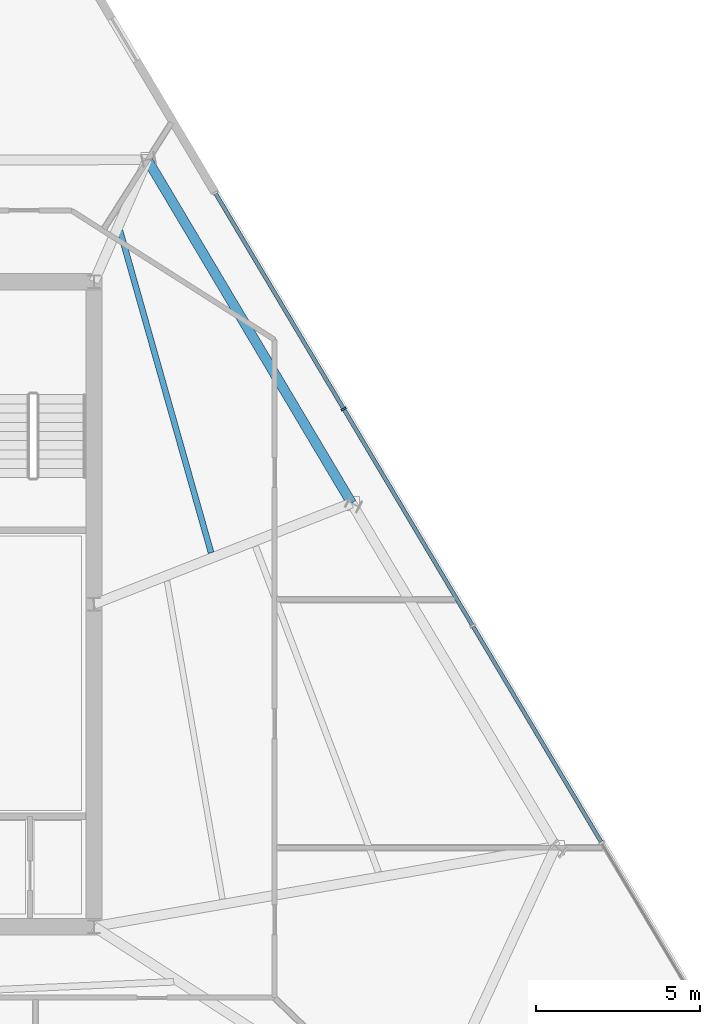
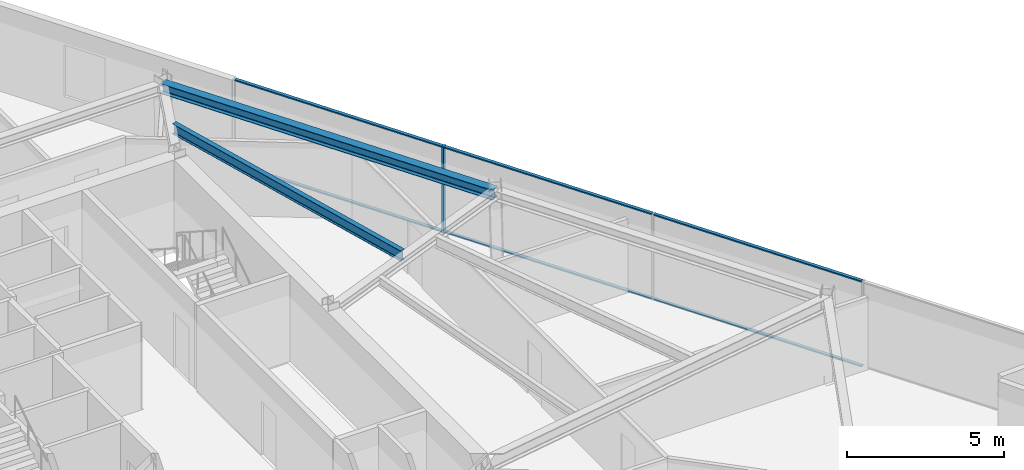
# One storey, part 6 of 16: 7 members, 2 beams, 1 element without a shape of its own.
"""IFC4 building model written with IfcOpenShell, lengths in metres."""

from ifc_helpers import new_model, si_unit, direction, frame, origin, origin_2d, place, context, subcontext, project, spatial, rectangle, i_section, extrude, material, material_profile, profile_set, type_object, element, aggregate, save


model = new_model("IFC4")

# Units and contexts
model_context = context("Model", 3, precision=1e-05, world=origin(), true_north=direction((0.0, 1.0)))
body_context = subcontext(model_context, "Body", "Model", "MODEL_VIEW")
ifc_project = project(units=[si_unit("LENGTHUNIT", "METRE"), si_unit("AREAUNIT", "SQUARE_METRE"), si_unit("VOLUMEUNIT", "CUBIC_METRE"), si_unit("PLANEANGLEUNIT", "RADIAN"), si_unit("MASSUNIT", "GRAM", prefix="KILO")], contexts=[model_context])

# Site, building, storey
site_placement = place(None, origin())
site = spatial("IfcSite", under=ifc_project, at=site_placement, CompositionType="ELEMENT")
building_placement = place(site_placement, origin())
building = spatial("IfcBuilding", under=site, at=building_placement, Name="Savorim Split Tower", CompositionType="ELEMENT")
storey_placement = place(building_placement, frame((0.0, 0.0, 160.199951171875)))
storey = spatial("IfcBuildingStorey", under=building, at=storey_placement, Name="L42", CompositionType="ELEMENT", Elevation=160.199951171875)

# Beams
ifc_material_1 = material(Name="Steel S355", Category="steel")
ifc_material_profile_1 = material_profile(ifc_material_1, i_section(OverallWidth=0.179931640625, OverallDepth=0.39990234375, WebThickness=0.008544921875, FlangeThickness=0.013427734375, FilletRadius=0.02099609375, at=origin_2d()), Name="IPE 400")
ifc_profile_set_1 = profile_set([ifc_material_profile_1], Name="Steel S355")
beam_type_1 = type_object("IfcBeamType", Name="BM-JST-IPE400", PredefinedType="JOIST", material=ifc_profile_set_1)
beam_1_placement = place(storey_placement, frame((11.2578125, 1.9677734375, 3.150146484375), z_axis=(-0.272189942737, 0.962243542495, 0.0), x_axis=(-0.962243542495, -0.272189942737, 0.0)))
element("IfcBeam", 1, at=beam_1_placement, inside=storey, type_object=beam_type_1, Name="L42 Secondary Floor Joist JS-07", PredefinedType="JOIST", context=body_context, shape_type="SweptSolid", body=[
    extrude(i_section(OverallWidth=0.179931640625, OverallDepth=0.39990234375, WebThickness=0.008544921875, FlangeThickness=0.013427734375, FilletRadius=0.02099609375, at=origin_2d()), origin(), (0.0, 0.0, 1.0), 10.169677734375),
])
ifc_material_profile_2 = material_profile(ifc_material_1, i_section(OverallWidth=0.300048828125, OverallDepth=0.389892578125, WebThickness=0.010986328125, FlangeThickness=0.01904296875, FilletRadius=0.027099609375, at=origin_2d()), Name="HEA 400")
ifc_profile_set_2 = profile_set([ifc_material_profile_2], Name="Steel S355")
beam_type_2 = type_object("IfcBeamType", Name="BM-SPN-HEA400", PredefinedType="SPANDREL", material=ifc_profile_set_2)
beam_2_placement = place(storey_placement, frame((15.529052734375, 3.473388671875, 3.155029296875), z_axis=(-0.511106702937, 0.859517270456, 0.0), x_axis=(-0.859517270456, -0.511106702937, 0.0)))
element("IfcBeam", 2, at=beam_2_placement, inside=storey, type_object=beam_type_2, Name="L42 Perimeter Spandrel Beam 6", PredefinedType="SPANDREL", context=body_context, shape_type="SweptSolid", body=[
    extrude(i_section(OverallWidth=0.300048828125, OverallDepth=0.389892578125, WebThickness=0.010986328125, FlangeThickness=0.01904296875, FilletRadius=0.027099609375, at=origin_2d()), origin(), (0.0, 0.0, 1.0), 12.144287109375),
])

# Curtain wall, members
ifc_material_2 = material(Name="Dark Ceramic-Fritted Insulated Glass", Category="glass")
curtain_wall_type = type_object("IfcCurtainWallType", Name="CW-TWR-FRIT-B", PredefinedType="NOTDEFINED", material=ifc_material_2)
curtain_wall_placement = place(storey_placement, origin())
curtain_wall = element("IfcCurtainWall", 3, at=curtain_wall_placement, inside=storey, type_object=curtain_wall_type, Name="L42 Curtain Wall CW-L42-EAST", PredefinedType="NOTDEFINED")
ifc_material_3 = material(Name="Charcoal Anodised Aluminium", Category="aluminium")
ifc_material_profile_3 = material_profile(ifc_material_3, rectangle(XDim=0.159912109375, YDim=0.06005859375, at=origin_2d()), Name="ALU-M 160x60")
ifc_profile_set_3 = profile_set([ifc_material_profile_3], Name="Charcoal Anodised Aluminium")
member_type_1 = type_object("IfcMemberType", Name="CWM-160x60", PredefinedType="MULLION", material=ifc_profile_set_3)
member_1_placement = place(storey_placement, frame((15.2900390625, 6.334228515625, 0.0), z_axis=(0.0, 0.0, 1.0), x_axis=(-0.859526328423, -0.511091470039, 0.0)))
member_1 = element("IfcMember", 4, at=member_1_placement, type_object=member_type_1, Name="CW-03 mullion 4", PredefinedType="MULLION", context=body_context, shape_type="SweptSolid", body=[
    extrude(rectangle(XDim=0.159912109375, YDim=0.06005859375, at=origin_2d()), origin(), (0.0, 0.0, 1.0), 3.35009765625),
])
ifc_material_profile_4 = material_profile(ifc_material_3, rectangle(XDim=0.1201171875, YDim=0.050048828125, at=origin_2d()), Name="ALU-T 120x50")
ifc_profile_set_4 = profile_set([ifc_material_profile_4], Name="Charcoal Anodised Aluminium")
member_type_2 = type_object("IfcMemberType", Name="CWT-120x50", PredefinedType="USERDEFINED", material=ifc_profile_set_4)
member_2_placement = place(storey_placement, frame((23.114013671875, -6.82373046875, 0.025146484375), z_axis=(-0.511085002819, 0.859530173929, 0.0), x_axis=(-0.859530173929, -0.511085002819, 0.0)))
member_2 = element("IfcMember", 5, at=member_2_placement, type_object=member_type_2, Name="CW-03 transom 2.1", ObjectType="TRANSOM", PredefinedType="USERDEFINED", context=body_context, shape_type="SweptSolid", body=[
    extrude(rectangle(XDim=0.1201171875, YDim=0.050048828125, at=origin_2d()), origin(), (0.0, 0.0, 1.0), 7.609130859375),
])
member_3_placement = place(storey_placement, frame((23.114013671875, -6.82373046875, 3.324951171875), z_axis=(-0.511085002819, 0.859530173929, 0.0), x_axis=(-0.859530173929, -0.511085002819, 0.0)))
member_3 = element("IfcMember", 6, at=member_3_placement, type_object=member_type_2, Name="CW-03 transom 2.2", ObjectType="TRANSOM", PredefinedType="USERDEFINED", context=body_context, shape_type="SweptSolid", body=[
    extrude(rectangle(XDim=0.1201171875, YDim=0.050048828125, at=origin_2d()), origin(), (0.0, 0.0, 1.0), 7.609130859375),
])
member_4_placement = place(storey_placement, frame((19.1943359375, -0.23193359375, 0.025146484375), z_axis=(-0.51107090834, 0.859538554487, 0.0), x_axis=(-0.859538554487, -0.51107090834, 0.0)))
member_4 = element("IfcMember", 7, at=member_4_placement, type_object=member_type_2, Name="CW-03 transom 3.1", ObjectType="TRANSOM", PredefinedType="USERDEFINED", context=body_context, shape_type="SweptSolid", body=[
    extrude(rectangle(XDim=0.1201171875, YDim=0.050048828125, at=origin_2d()), origin(), (0.0, 0.0, 1.0), 7.609375),
])
member_5_placement = place(storey_placement, frame((19.1943359375, -0.23193359375, 3.324951171875), z_axis=(-0.51107090834, 0.859538554487, 0.0), x_axis=(-0.859538554487, -0.51107090834, 0.0)))
member_5 = element("IfcMember", 8, at=member_5_placement, type_object=member_type_2, Name="CW-03 transom 3.2", ObjectType="TRANSOM", PredefinedType="USERDEFINED", context=body_context, shape_type="SweptSolid", body=[
    extrude(rectangle(XDim=0.1201171875, YDim=0.050048828125, at=origin_2d()), origin(), (0.0, 0.0, 1.0), 7.609375),
])
member_6_placement = place(storey_placement, frame((15.274658203125, 6.360107421875, 0.025146484375), z_axis=(-0.511085684195, 0.859529768775, 0.0), x_axis=(-0.859529768775, -0.511085684195, 0.0)))
member_6 = element("IfcMember", 9, at=member_6_placement, type_object=member_type_2, Name="CW-03 transom 4.1", ObjectType="TRANSOM", PredefinedType="USERDEFINED", context=body_context, shape_type="SweptSolid", body=[
    extrude(rectangle(XDim=0.1201171875, YDim=0.050048828125, at=origin_2d()), origin(), (0.0, 0.0, 1.0), 7.5791015625),
])
member_7_placement = place(storey_placement, frame((15.274658203125, 6.360107421875, 3.324951171875), z_axis=(-0.511085684195, 0.859529768775, 0.0), x_axis=(-0.859529768775, -0.511085684195, 0.0)))
member_7 = element("IfcMember", 10, at=member_7_placement, type_object=member_type_2, Name="CW-03 transom 4.2", ObjectType="TRANSOM", PredefinedType="USERDEFINED", context=body_context, shape_type="SweptSolid", body=[
    extrude(rectangle(XDim=0.1201171875, YDim=0.050048828125, at=origin_2d()), origin(), (0.0, 0.0, 1.0), 7.5791015625),
])
aggregate(curtain_wall, [member_1, member_2, member_3, member_4, member_5, member_6, member_7])

save(model, "model.ifc")
